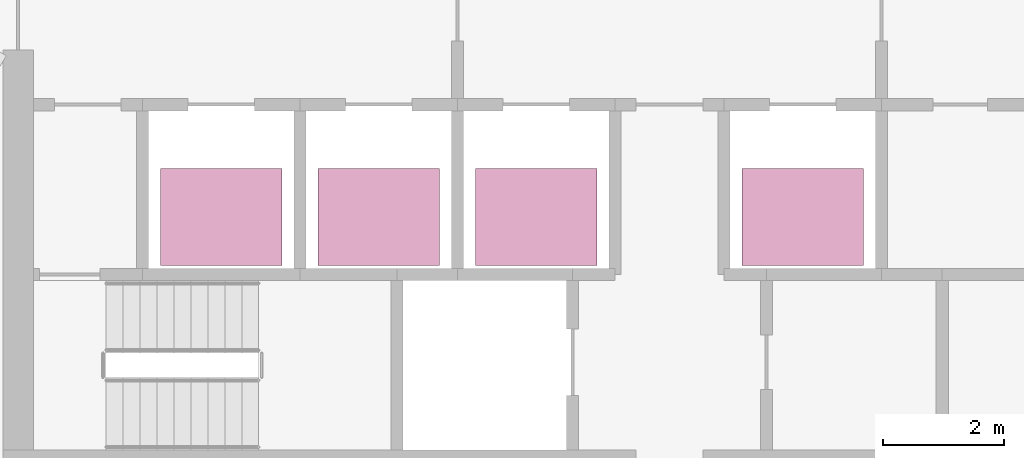
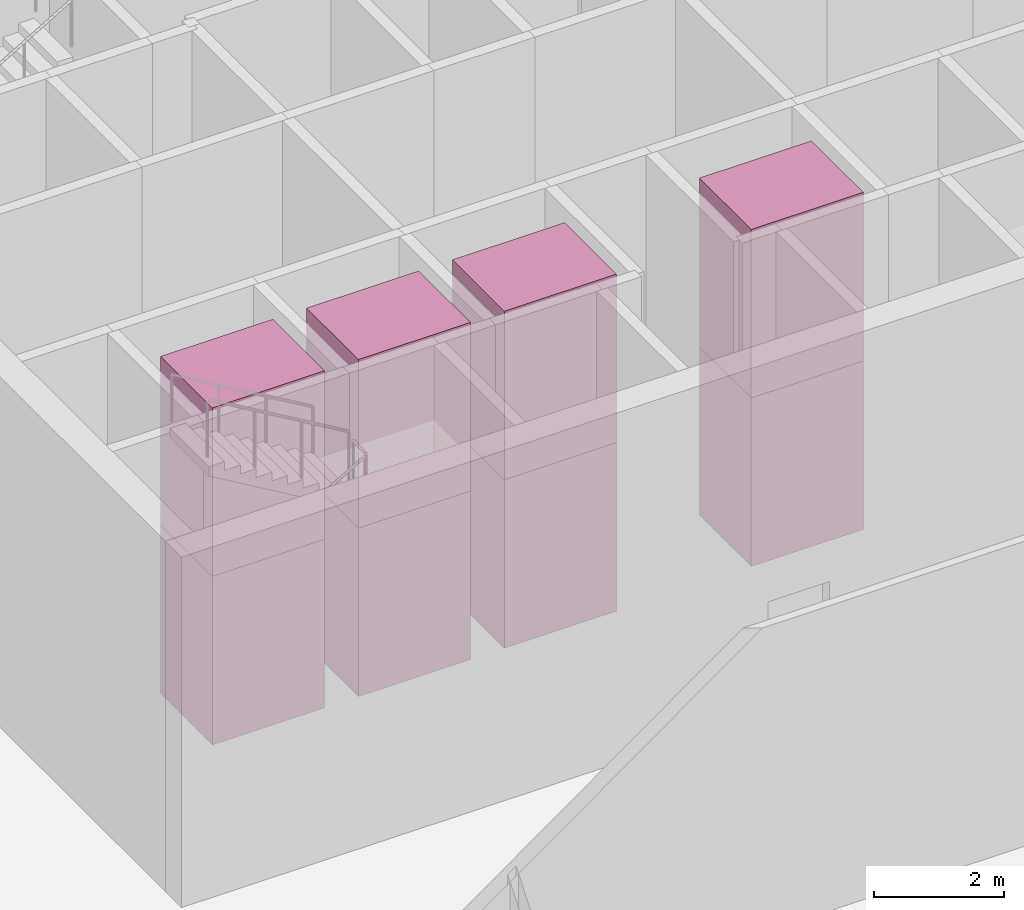
# One storey, part 11 of 11: 8 transport elements.
"""IFC4 building model written with IfcOpenShell, lengths in metres."""

from ifc_helpers import new_model, si_unit, direction, frame, origin, origin_2d, place, context, subcontext, project, spatial, rectangle, extrude, material, type_object, element, save


model = new_model("IFC4")

# Units and contexts
model_context = context("Model", 3, precision=1e-05, world=origin(), true_north=direction((0.0, 1.0)))
body_context = subcontext(model_context, "Body", "Model", "MODEL_VIEW")
ifc_project = project(units=[si_unit("LENGTHUNIT", "METRE"), si_unit("AREAUNIT", "SQUARE_METRE"), si_unit("VOLUMEUNIT", "CUBIC_METRE"), si_unit("PLANEANGLEUNIT", "RADIAN"), si_unit("MASSUNIT", "GRAM", prefix="KILO")], contexts=[model_context])

# Site, building, storey
site_placement = place(None, origin())
site = spatial("IfcSite", under=ifc_project, at=site_placement, CompositionType="ELEMENT")
building_placement = place(site_placement, origin())
building = spatial("IfcBuilding", under=site, at=building_placement, Name="Sierra Prisma Convention Tower", CompositionType="ELEMENT")
storey_placement = place(building_placement, frame((0.0, 0.0, 22.199951171875)))
storey = spatial("IfcBuildingStorey", under=building, at=storey_placement, Name="L03", CompositionType="ELEMENT", Elevation=22.199951171875)

# Transport elements
ifc_material = material(Name="Stainless steel", Category="steel")
transport_element_type = type_object("IfcTransportElementType", Name="Lift car podium 2000x1600 1600 kg", PredefinedType="ELEVATOR", material=ifc_material)
for number, where, z_axis, x_axis, name in (
    (1, (-7.39990234375, -3.64990234375, 0.0), (0.0, 0.0, 1.0), (1.0, 0.0, 0.0), "Lift PD1"),
    (2, (-7.39990234375, -3.64990234375, 3.1748046875), (0.0, 0.0, 1.0), (1.0, 0.0, 0.0), "Lift PD1"),
    (3, (-4.800048828125, -3.64990234375, 0.0), (0.0, 0.0, 1.0), (1.0, 0.0, 0.0), "Lift PD2"),
    (4, (-4.800048828125, -3.64990234375, 3.1748046875), (0.0, 0.0, 1.0), (1.0, 0.0, 0.0), "Lift PD2"),
    (5, (-2.199951171875, -3.64990234375, 0.0), (0.0, 0.0, 1.0), (1.0, 0.0, 0.0), "Lift PD3"),
    (6, (-2.199951171875, -3.64990234375, 3.1748046875), (0.0, 0.0, 1.0), (1.0, 0.0, 0.0), "Lift PD3"),
    (7, (2.199951171875, -3.64990234375, 0.0), (0.0, 0.0, 1.0), (1.0, 0.0, 0.0), "Lift PD4"),
    (8, (2.199951171875, -3.64990234375, 3.1748046875), (0.0, 0.0, 1.0), (1.0, 0.0, 0.0), "Lift PD4"),
):
    element("IfcTransportElement", number, at=place(storey_placement, frame(where, z_axis=z_axis, x_axis=x_axis)), inside=storey, type_object=transport_element_type, Name=name, PredefinedType="ELEVATOR", context=body_context, shape_type="SweptSolid", body=[
        extrude(rectangle(XDim=2.0, YDim=1.60009765625, at=origin_2d()), origin(), (0.0, 0.0, 1.0), 3.175048828125),
    ])

save(model, "model.ifc")
